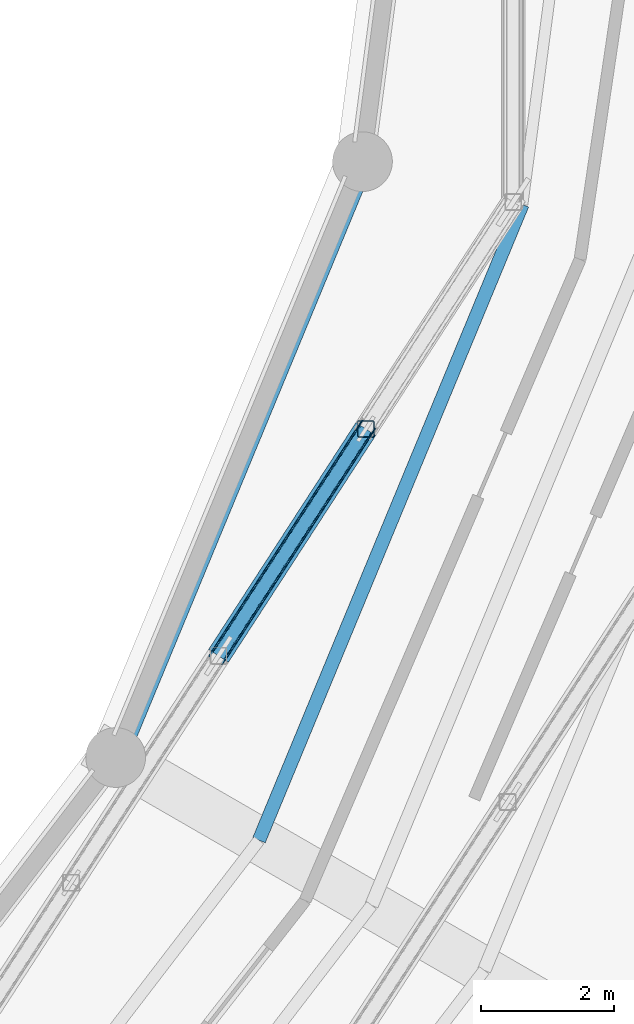
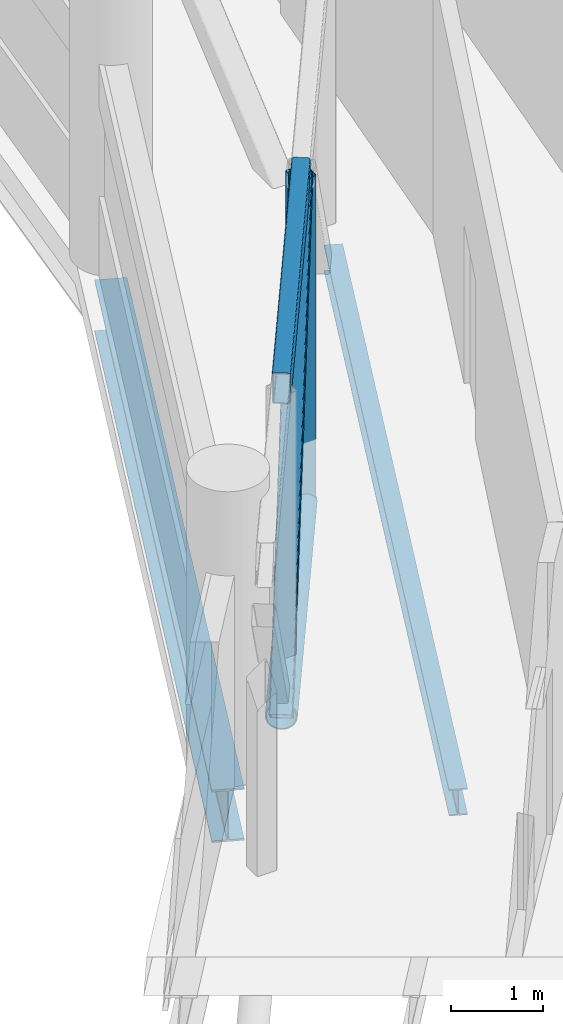
# One storey, part 34 of 121: 4 members, 2 beams.
"""IFC4 building model written with IfcOpenShell, lengths in metres."""

from ifc_helpers import new_model, si_unit, direction, frame, origin, origin_2d, place, context, subcontext, project, spatial, hollow_rectangle, hollow_circle, i_section, extrude, material, material_profile, profile_set, type_object, element, save


model = new_model("IFC4")

# Units and contexts
model_context = context("Model", 3, precision=1e-05, world=origin(), true_north=direction((0.0, 1.0)))
body_context = subcontext(model_context, "Body", "Model", "MODEL_VIEW")
ifc_project = project(units=[si_unit("LENGTHUNIT", "METRE"), si_unit("AREAUNIT", "SQUARE_METRE"), si_unit("VOLUMEUNIT", "CUBIC_METRE"), si_unit("PLANEANGLEUNIT", "RADIAN"), si_unit("MASSUNIT", "GRAM", prefix="KILO")], contexts=[model_context])

# Site, building, storey
site_placement = place(None, origin())
site = spatial("IfcSite", under=ifc_project, at=site_placement, CompositionType="ELEMENT")
building_placement = place(site_placement, origin())
building = spatial("IfcBuilding", under=site, at=building_placement, Name="Vespera Passage Community Centre", CompositionType="ELEMENT")
storey_placement = place(building_placement, frame((0.0, 0.0, 8.699951171875)))
storey = spatial("IfcBuildingStorey", under=building, at=storey_placement, Name="L02", CompositionType="ELEMENT", Elevation=8.699951171875)

# Member
ifc_material_1 = material(Name="Steel ASTM A500 Grade C", Category="steel")
ifc_material_profile_1 = material_profile(ifc_material_1, hollow_circle(Radius=0.177734375, WallThickness=0.014892578125, at=origin_2d()), Name="CHS356X15.9")
ifc_profile_set_1 = profile_set([ifc_material_profile_1], Name="Steel ASTM A500 Grade C")
member_type_1 = type_object("IfcMemberType", Name="BC-356", PredefinedType="CHORD", material=ifc_profile_set_1)
member_1_placement = place(storey_placement, frame((111.764892578125, 48.430419921875, -0.849853515625), z_axis=(0.544619676318, 0.838683139313, 0.0), x_axis=(-0.838683139313, 0.544619676318, 0.0)))
element("IfcMember", 1, at=member_1_placement, inside=storey, type_object=member_type_1, Name="BC-356 Transfer Truss Chord TR1I.5", PredefinedType="CHORD", context=body_context, shape_type="SweptSolid", body=[
    extrude(hollow_circle(Radius=0.177734375, WallThickness=0.014892578125, at=origin_2d()), origin(), (0.0, 0.0, 1.0), 4.073974609375),
])

# Beams
ifc_material_2 = material(Name="Steel ASTM A992 Grade 50", Category="steel")
ifc_material_profile_2 = material_profile(ifc_material_2, i_section(OverallWidth=0.2041015625, OverallDepth=0.3505859375, WebThickness=0.008544921875, FlangeThickness=0.01513671875, FilletRadius=0.01513671875, at=origin_2d()), Name="W14X48")
ifc_profile_set_2 = profile_set([ifc_material_profile_2], Name="Steel ASTM A992 Grade 50")
beam_type_1 = type_object("IfcBeamType", Name="BM-J-W14X48", PredefinedType="JOIST", material=ifc_profile_set_2)
beam_1_placement = place(storey_placement, frame((112.374267578125, 45.654052734375, -0.51513671875), z_axis=(0.382697233288, 0.923873815861, 0.0), x_axis=(-0.923873815861, 0.382697233288, 0.0)))
element("IfcBeam", 2, at=beam_1_placement, inside=storey, type_object=beam_type_1, Name="V4 L02 Floor Joist 22.1", PredefinedType="JOIST", context=body_context, shape_type="SweptSolid", body=[
    extrude(i_section(OverallWidth=0.2041015625, OverallDepth=0.3505859375, WebThickness=0.008544921875, FlangeThickness=0.01513671875, FilletRadius=0.01513671875, at=origin_2d()), origin(), (0.0, 0.0, 1.0), 10.361572265625),
])
ifc_material_3 = material(Name="Steel ASTM A992 Grade 50", Category="steel")
ifc_material_profile_3 = material_profile(ifc_material_3, i_section(OverallWidth=0.3544921875, OverallDepth=0.695556640625, WebThickness=0.015380859375, FlangeThickness=0.024658203125, FilletRadius=0.01513671875, at=origin_2d()), Name="W27X146")
ifc_profile_set_3 = profile_set([ifc_material_profile_3], Name="Steel ASTM A992 Grade 50")
beam_type_2 = type_object("IfcBeamType", Name="BM-SP-W27X146E", PredefinedType="SPANDREL", material=ifc_profile_set_3)
beam_2_placement = place(storey_placement, frame((110.216064453125, 46.89990234375, -0.687744140625), z_axis=(0.382684844258, 0.923878947685, 0.0), x_axis=(-0.923878947685, 0.382684844258, 0.0)))
element("IfcBeam", 3, at=beam_2_placement, inside=storey, type_object=beam_type_2, Name="V4 L02 Inner Spandrel 22", PredefinedType="SPANDREL", context=body_context, shape_type="SweptSolid", body=[
    extrude(i_section(OverallWidth=0.3544921875, OverallDepth=0.695556640625, WebThickness=0.015380859375, FlangeThickness=0.024658203125, FilletRadius=0.01513671875, at=origin_2d()), origin(), (0.0, 0.0, 1.0), 9.711181640625),
])

# Members
ifc_material_4 = material(Name="Steel ASTM A500 Grade C", Category="steel")
ifc_material_profile_4 = material_profile(ifc_material_4, hollow_rectangle(XDim=0.203125, YDim=0.406494140625, WallThickness=0.014892578125, InnerFilletRadius=0.014892578125, OuterFilletRadius=0.029541015625, at=origin_2d()), Name="HSS406X203X15.9")
ifc_profile_set_4 = profile_set([ifc_material_profile_4], Name="Steel ASTM A500 Grade C")
member_type_2 = type_object("IfcMemberType", Name="TC-406", PredefinedType="CHORD", material=ifc_profile_set_4)
member_2_placement = place(storey_placement, frame((111.764892578125, 48.430419921875, 3.47998046875), z_axis=(0.544619676318, 0.838683139313, 0.0), x_axis=(-0.838683139313, 0.544619676318, 0.0)))
element("IfcMember", 4, at=member_2_placement, inside=storey, type_object=member_type_2, Name="TC-406 Transfer Truss Chord TR1I.5", PredefinedType="CHORD", context=body_context, shape_type="SweptSolid", body=[
    extrude(hollow_rectangle(XDim=0.203125, YDim=0.406494140625, WallThickness=0.014892578125, InnerFilletRadius=0.014892578125, OuterFilletRadius=0.029541015625, at=origin_2d()), origin(), (0.0, 0.0, 1.0), 4.073974609375),
])
ifc_material_5 = material(Name="Steel ASTM A500 Grade C", Category="steel")
ifc_material_profile_5 = material_profile(ifc_material_5, hollow_rectangle(XDim=0.25390625, YDim=0.25390625, WallThickness=0.01171875, InnerFilletRadius=0.01171875, OuterFilletRadius=0.023681640625, at=origin_2d()), Name="HSS254X254X12.7")
ifc_profile_set_5 = profile_set([ifc_material_profile_5], Name="Steel ASTM A500 Grade C")
member_type_3 = type_object("IfcMemberType", Name="TD-254", PredefinedType="BRACE", material=ifc_profile_set_5)
member_3_placement = place(storey_placement, frame((111.764892578125, 48.430419921875, -0.849853515625), z_axis=(0.373205096023, 0.57471449371, 0.728300217645), x_axis=(-0.838683139313, 0.544619676318, 0.0)))
element("IfcMember", 5, at=member_3_placement, inside=storey, type_object=member_type_3, Name="TD-254 Transfer Truss Diagonal TR1I.5", PredefinedType="BRACE", context=body_context, shape_type="SweptSolid", body=[
    extrude(hollow_rectangle(XDim=0.25390625, YDim=0.25390625, WallThickness=0.01171875, InnerFilletRadius=0.01171875, OuterFilletRadius=0.023681640625, at=origin_2d()), origin(), (0.0, 0.0, 1.0), 5.945068359375),
])
ifc_material_6 = material(Name="Steel ASTM A500 Grade C", Category="steel")
ifc_material_profile_6 = material_profile(ifc_material_6, hollow_rectangle(XDim=0.25390625, YDim=0.25390625, WallThickness=0.01171875, InnerFilletRadius=0.01171875, OuterFilletRadius=0.023681640625, at=origin_2d()), Name="HSS254X254X12.7")
ifc_profile_set_6 = profile_set([ifc_material_profile_6], Name="Steel ASTM A500 Grade C")
member_type_4 = type_object("IfcMemberType", Name="TP-254", PredefinedType="POST", material=ifc_profile_set_6)
member_4_placement = place(storey_placement, frame((113.983642578125, 51.84716796875, -0.849853515625), z_axis=(0.0, 0.0, 1.0), x_axis=(1.0, 0.0, 0.0)))
element("IfcMember", 6, at=member_4_placement, inside=storey, type_object=member_type_4, Name="Truss TR1I Vertical Post 6", PredefinedType="POST", context=body_context, shape_type="SweptSolid", body=[
    extrude(hollow_rectangle(XDim=0.25390625, YDim=0.25390625, WallThickness=0.01171875, InnerFilletRadius=0.01171875, OuterFilletRadius=0.023681640625, at=origin_2d()), origin(), (0.0, 0.0, 1.0), 4.329833984375),
])

save(model, "model.ifc")
